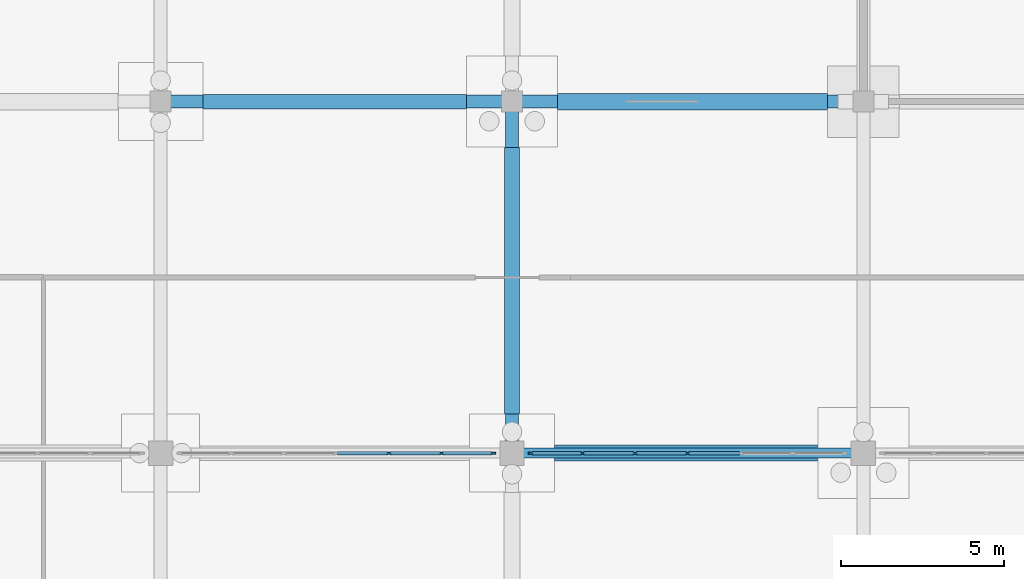
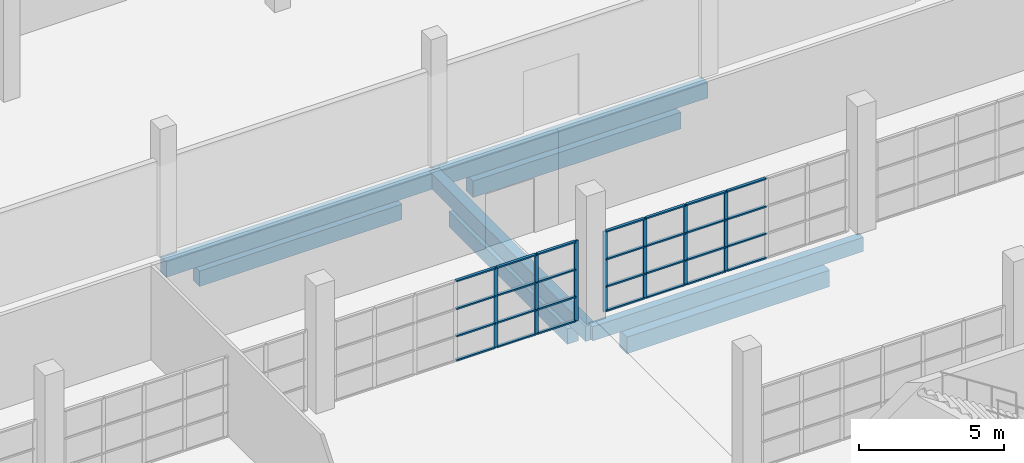
# One storey, part 75 of 138: 35 members, 8 beams, 2 elements without a shape of their own.
"""IFC4 building model written with IfcOpenShell, lengths in metres."""

from ifc_helpers import new_model, si_unit, direction, frame, origin, origin_2d, place, context, subcontext, project, spatial, rectangle, extrude, material, material_profile, profile_set, type_object, element, aggregate, save


model = new_model("IFC4")

# Units and contexts
model_context = context("Model", 3, precision=1e-05, world=origin(), true_north=direction((0.0, 1.0)))
body_context = subcontext(model_context, "Body", "Model", "MODEL_VIEW")
ifc_project = project(units=[si_unit("LENGTHUNIT", "METRE"), si_unit("AREAUNIT", "SQUARE_METRE"), si_unit("VOLUMEUNIT", "CUBIC_METRE"), si_unit("PLANEANGLEUNIT", "RADIAN"), si_unit("MASSUNIT", "GRAM", prefix="KILO")], contexts=[model_context])

# Site, building, storey
site_placement = place(None, origin())
site = spatial("IfcSite", under=ifc_project, at=site_placement, CompositionType="ELEMENT")
building_placement = place(site_placement, origin())
building = spatial("IfcBuilding", under=site, at=building_placement, Name="Zwinboog Wholesale Market", CompositionType="ELEMENT")
storey_placement = place(building_placement, origin())
storey = spatial("IfcBuildingStorey", under=building, at=storey_placement, Name="L00", CompositionType="ELEMENT", Elevation=0.0)

# Beams
ifc_material_1 = material(Name="Precast concrete C45/55", Category="concrete")
ifc_material_profile_1 = material_profile(ifc_material_1, rectangle(XDim=0.39990234375, YDim=0.64990234375, at=origin_2d()), Name="PC 400x650")
ifc_profile_set_1 = profile_set([ifc_material_profile_1], Name="Precast concrete C45/55")
beam_type_1 = type_object("IfcBeamType", Name="BT-05", PredefinedType="BEAM", material=ifc_profile_set_1)
for number, where, z_axis, x_axis, name in (
    (1, (140.39990234375, 108.0, -0.68994140625), (1.0, 0.0, 0.0), (0.0, 1.0, 0.0), "BG-05 (BMG-L00-1404-1080-0164)"),
    (2, (151.199951171875, 108.0, -0.68994140625), (1.0, 0.0, 0.0), (0.0, 1.0, 0.0), "BG-05 (BMG-L00-1512-1080-0165)"),
    (3, (151.199951171875, 97.199951171875, -0.68994140625), (0.0, 1.0, 0.0), (-1.0, 0.0, 0.0), "BG-05 (BMG-L00-1512-0972-0362)"),
):
    element("IfcBeam", number, at=place(storey_placement, frame(where, z_axis=z_axis, x_axis=x_axis)), inside=storey, type_object=beam_type_1, Name=name, PredefinedType="BEAM", context=body_context, shape_type="SweptSolid", body=[
        extrude(rectangle(XDim=0.39990234375, YDim=0.64990234375, at=origin_2d()), origin(), (0.0, 0.0, 1.0), 10.800048828125),
    ])
ifc_material_profile_2 = material_profile(ifc_material_1, rectangle(XDim=0.300048828125, YDim=0.60009765625, at=origin_2d()), Name="PC 300x600")
ifc_profile_set_2 = profile_set([ifc_material_profile_2], Name="Precast concrete C45/55")
beam_type_2 = type_object("IfcBeamType", Name="BT-09", PredefinedType="SPANDREL", material=ifc_profile_set_2)
beam_1_placement = place(storey_placement, frame((151.199951171875, 97.199951171875, -0.6650390625), z_axis=(1.0, 0.0, 0.0), x_axis=(0.0, 1.0, 0.0)))
element("IfcBeam", 4, at=beam_1_placement, inside=storey, type_object=beam_type_2, Name="SP-02 (BMG-L00-1512-0972-0145)", PredefinedType="SPANDREL", context=body_context, shape_type="SweptSolid", body=[
    extrude(rectangle(XDim=0.300048828125, YDim=0.60009765625, at=origin_2d()), origin(), (0.0, 0.0, 1.0), 10.800048828125),
])
ifc_material_2 = material(Name="Concrete C35/45", Category="concrete")
ifc_material_profile_3 = material_profile(ifc_material_2, rectangle(XDim=0.5, YDim=0.699951171875, at=origin_2d()), Name="RC 500x700")
ifc_profile_set_3 = profile_set([ifc_material_profile_3], Name="Concrete C35/45")
beam_type_3 = type_object("IfcBeamType", Name="BT-12", PredefinedType="USERDEFINED", material=ifc_profile_set_3)
beam_2_placement = place(storey_placement, frame((152.5048828125, 97.199951171875, -1.550048828125), z_axis=(1.0, 0.0, 0.0), x_axis=(0.0, 1.0, 0.0)))
element("IfcBeam", 5, at=beam_2_placement, inside=storey, type_object=beam_type_3, Name="GB-01 (BM-GB-0081)", ObjectType="GROUND_BEAM", PredefinedType="USERDEFINED", context=body_context, shape_type="SweptSolid", body=[
    extrude(rectangle(XDim=0.5, YDim=0.699951171875, at=origin_2d()), origin(), (0.0, 0.0, 1.0), 8.090087890625),
])
beam_3_placement = place(storey_placement, frame((152.60498046875, 108.0, -1.550048828125), z_axis=(1.0, 0.0, 0.0), x_axis=(0.0, 1.0, 0.0)))
element("IfcBeam", 6, at=beam_3_placement, inside=storey, type_object=beam_type_3, Name="GB-01 (BM-GB-0101)", ObjectType="GROUND_BEAM", PredefinedType="USERDEFINED", context=body_context, shape_type="SweptSolid", body=[
    extrude(rectangle(XDim=0.5, YDim=0.699951171875, at=origin_2d()), origin(), (0.0, 0.0, 1.0), 8.2900390625),
])
ifc_material_profile_4 = material_profile(ifc_material_2, rectangle(XDim=0.449951171875, YDim=0.64990234375, at=origin_2d()), Name="RC 450x650")
ifc_profile_set_4 = profile_set([ifc_material_profile_4], Name="Concrete C35/45")
beam_type_4 = type_object("IfcBeamType", Name="BT-13", PredefinedType="USERDEFINED", material=ifc_profile_set_4)
beam_4_placement = place(storey_placement, frame((141.705078125, 108.0, -1.52490234375), z_axis=(1.0, 0.0, 0.0), x_axis=(0.0, 1.0, 0.0)))
element("IfcBeam", 7, at=beam_4_placement, inside=storey, type_object=beam_type_4, Name="GB-02 (BM-GB-0100)", ObjectType="GROUND_BEAM", PredefinedType="USERDEFINED", context=body_context, shape_type="SweptSolid", body=[
    extrude(rectangle(XDim=0.449951171875, YDim=0.64990234375, at=origin_2d()), origin(), (0.0, 0.0, 1.0), 8.08984375),
])
beam_5_placement = place(storey_placement, frame((151.199951171875, 98.405029296875, -1.52490234375), z_axis=(0.0, 1.0, 0.0), x_axis=(-1.0, 0.0, 0.0)))
element("IfcBeam", 8, at=beam_5_placement, inside=storey, type_object=beam_type_4, Name="GB-02 (BM-GB-0193)", ObjectType="GROUND_BEAM", PredefinedType="USERDEFINED", context=body_context, shape_type="SweptSolid", body=[
    extrude(rectangle(XDim=0.449951171875, YDim=0.64990234375, at=origin_2d()), origin(), (0.0, 0.0, 1.0), 8.18994140625),
])

# Curtain wall, members
ifc_material_3 = material(Name="Aluminium thermally broken curtain wall", Category="aluminium")
curtain_wall_type = type_object("IfcCurtainWallType", Name="CWT-INT-STALL", PredefinedType="USERDEFINED", material=ifc_material_3)
curtain_wall_1_placement = place(storey_placement, origin())
curtain_wall_1 = element("IfcCurtainWall", 9, at=curtain_wall_1_placement, inside=storey, type_object=curtain_wall_type, Name="CW-07 (CW-STL-206)", ObjectType="STOREFRONT_GLAZING", PredefinedType="USERDEFINED")
ifc_material_4 = material(Name="Aluminium EN AW-6060", Category="aluminium")
ifc_material_profile_5 = material_profile(ifc_material_4, rectangle(XDim=0.06005859375, YDim=0.14990234375, at=origin_2d()), Name="AL 60x150")
ifc_profile_set_5 = profile_set([ifc_material_profile_5], Name="Aluminium EN AW-6060")
member_type_1 = type_object("IfcMemberType", Name="CWM-INT-60x120", PredefinedType="MULLION", material=ifc_profile_set_5)
member_1_placement = place(storey_placement, frame((147.416748046875, 97.199951171875, 0.0), z_axis=(0.0, 0.0, 1.0), x_axis=(0.0, 1.0, 0.0)))
member_1 = element("IfcMember", 10, at=member_1_placement, type_object=member_type_1, Name="CW-07 mullion 5", PredefinedType="MULLION", context=body_context, shape_type="SweptSolid", body=[
    extrude(rectangle(XDim=0.06005859375, YDim=0.14990234375, at=origin_2d()), origin(), (0.0, 0.0, 1.0), 3.39990234375),
])
member_2_placement = place(storey_placement, frame((149.033447265625, 97.199951171875, 0.0), z_axis=(0.0, 0.0, 1.0), x_axis=(0.0, 1.0, 0.0)))
member_2 = element("IfcMember", 11, at=member_2_placement, type_object=member_type_1, Name="CW-07 mullion 6", PredefinedType="MULLION", context=body_context, shape_type="SweptSolid", body=[
    extrude(rectangle(XDim=0.06005859375, YDim=0.14990234375, at=origin_2d()), origin(), (0.0, 0.0, 1.0), 3.39990234375),
])
member_3_placement = place(storey_placement, frame((150.6201171875, 97.199951171875, 0.0), z_axis=(0.0, 0.0, 1.0), x_axis=(0.0, 1.0, 0.0)))
member_3 = element("IfcMember", 12, at=member_3_placement, type_object=member_type_1, Name="CW-07 mullion 7", PredefinedType="MULLION", context=body_context, shape_type="SweptSolid", body=[
    extrude(rectangle(XDim=0.06005859375, YDim=0.14990234375, at=origin_2d()), origin(), (0.0, 0.0, 1.0), 3.39990234375),
])

curtain_wall_2_placement = place(storey_placement, origin())
curtain_wall_2 = element("IfcCurtainWall", 13, at=curtain_wall_2_placement, inside=storey, type_object=curtain_wall_type, Name="CW-07 (CW-STL-207)", ObjectType="STOREFRONT_GLAZING", PredefinedType="USERDEFINED")
member_4_placement = place(storey_placement, frame((151.780029296875, 97.199951171875, 0.0), z_axis=(0.0, 0.0, 1.0), x_axis=(0.0, 1.0, 0.0)))
member_4 = element("IfcMember", 14, at=member_4_placement, type_object=member_type_1, Name="CW-07 mullion 1", PredefinedType="MULLION", context=body_context, shape_type="SweptSolid", body=[
    extrude(rectangle(XDim=0.06005859375, YDim=0.14990234375, at=origin_2d()), origin(), (0.0, 0.0, 1.0), 3.39990234375),
])
member_5_placement = place(storey_placement, frame((153.36669921875, 97.199951171875, 0.0), z_axis=(0.0, 0.0, 1.0), x_axis=(0.0, 1.0, 0.0)))
member_5 = element("IfcMember", 15, at=member_5_placement, type_object=member_type_1, Name="CW-07 mullion 2", PredefinedType="MULLION", context=body_context, shape_type="SweptSolid", body=[
    extrude(rectangle(XDim=0.06005859375, YDim=0.14990234375, at=origin_2d()), origin(), (0.0, 0.0, 1.0), 3.39990234375),
])
member_6_placement = place(storey_placement, frame((154.9833984375, 97.199951171875, 0.0), z_axis=(0.0, 0.0, 1.0), x_axis=(0.0, 1.0, 0.0)))
member_6 = element("IfcMember", 16, at=member_6_placement, type_object=member_type_1, Name="CW-07 mullion 3", PredefinedType="MULLION", context=body_context, shape_type="SweptSolid", body=[
    extrude(rectangle(XDim=0.06005859375, YDim=0.14990234375, at=origin_2d()), origin(), (0.0, 0.0, 1.0), 3.39990234375),
])
member_7_placement = place(storey_placement, frame((156.60009765625, 97.199951171875, 0.0), z_axis=(0.0, 0.0, 1.0), x_axis=(0.0, 1.0, 0.0)))
member_7 = element("IfcMember", 17, at=member_7_placement, type_object=member_type_1, Name="CW-07 mullion 4", PredefinedType="MULLION", context=body_context, shape_type="SweptSolid", body=[
    extrude(rectangle(XDim=0.06005859375, YDim=0.14990234375, at=origin_2d()), origin(), (0.0, 0.0, 1.0), 3.39990234375),
])

# Member
ifc_material_profile_6 = material_profile(ifc_material_4, rectangle(XDim=0.110107421875, YDim=0.06005859375, at=origin_2d()), Name="AL 60x110")
ifc_profile_set_6 = profile_set([ifc_material_profile_6], Name="Aluminium EN AW-6060")
member_type_2 = type_object("IfcMemberType", Name="CWT-INT-60x100", PredefinedType="USERDEFINED", material=ifc_profile_set_6)
member_8_placement = place(storey_placement, frame((145.830078125, 97.199951171875, 0.030029296875), z_axis=(1.0, 0.0, 0.0), x_axis=(0.0, 1.0, 0.0)))
member_8 = element("IfcMember", 18, at=member_8_placement, type_object=member_type_2, Name="CW-07 transom 4.1", ObjectType="TRANSOM", PredefinedType="USERDEFINED", context=body_context, shape_type="SweptSolid", body=[
    extrude(rectangle(XDim=0.110107421875, YDim=0.06005859375, at=origin_2d()), origin(), (0.0, 0.0, 1.0), 1.556640625),
])

member_9_placement = place(storey_placement, frame((145.830078125, 97.199951171875, 1.050048828125), z_axis=(1.0, 0.0, 0.0), x_axis=(0.0, 1.0, 0.0)))
member_9 = element("IfcMember", 19, at=member_9_placement, type_object=member_type_2, Name="CW-07 transom 4.2", ObjectType="TRANSOM", PredefinedType="USERDEFINED", context=body_context, shape_type="SweptSolid", body=[
    extrude(rectangle(XDim=0.110107421875, YDim=0.06005859375, at=origin_2d()), origin(), (0.0, 0.0, 1.0), 1.556640625),
])

member_10_placement = place(storey_placement, frame((145.830078125, 97.199951171875, 2.199951171875), z_axis=(1.0, 0.0, 0.0), x_axis=(0.0, 1.0, 0.0)))
member_10 = element("IfcMember", 20, at=member_10_placement, type_object=member_type_2, Name="CW-07 transom 4.3", ObjectType="TRANSOM", PredefinedType="USERDEFINED", context=body_context, shape_type="SweptSolid", body=[
    extrude(rectangle(XDim=0.110107421875, YDim=0.06005859375, at=origin_2d()), origin(), (0.0, 0.0, 1.0), 1.556640625),
])

member_11_placement = place(storey_placement, frame((145.830078125, 97.199951171875, 3.3701171875), z_axis=(1.0, 0.0, 0.0), x_axis=(0.0, 1.0, 0.0)))
member_11 = element("IfcMember", 21, at=member_11_placement, type_object=member_type_2, Name="CW-07 transom 4.4", ObjectType="TRANSOM", PredefinedType="USERDEFINED", context=body_context, shape_type="SweptSolid", body=[
    extrude(rectangle(XDim=0.110107421875, YDim=0.06005859375, at=origin_2d()), origin(), (0.0, 0.0, 1.0), 1.556640625),
])

member_12_placement = place(storey_placement, frame((147.44677734375, 97.199951171875, 0.030029296875), z_axis=(1.0, 0.0, 0.0), x_axis=(0.0, 1.0, 0.0)))
member_12 = element("IfcMember", 22, at=member_12_placement, type_object=member_type_2, Name="CW-07 transom 5.1", ObjectType="TRANSOM", PredefinedType="USERDEFINED", context=body_context, shape_type="SweptSolid", body=[
    extrude(rectangle(XDim=0.110107421875, YDim=0.06005859375, at=origin_2d()), origin(), (0.0, 0.0, 1.0), 1.556640625),
])

member_13_placement = place(storey_placement, frame((147.44677734375, 97.199951171875, 1.050048828125), z_axis=(1.0, 0.0, 0.0), x_axis=(0.0, 1.0, 0.0)))
member_13 = element("IfcMember", 23, at=member_13_placement, type_object=member_type_2, Name="CW-07 transom 5.2", ObjectType="TRANSOM", PredefinedType="USERDEFINED", context=body_context, shape_type="SweptSolid", body=[
    extrude(rectangle(XDim=0.110107421875, YDim=0.06005859375, at=origin_2d()), origin(), (0.0, 0.0, 1.0), 1.556640625),
])

member_14_placement = place(storey_placement, frame((147.44677734375, 97.199951171875, 2.199951171875), z_axis=(1.0, 0.0, 0.0), x_axis=(0.0, 1.0, 0.0)))
member_14 = element("IfcMember", 24, at=member_14_placement, type_object=member_type_2, Name="CW-07 transom 5.3", ObjectType="TRANSOM", PredefinedType="USERDEFINED", context=body_context, shape_type="SweptSolid", body=[
    extrude(rectangle(XDim=0.110107421875, YDim=0.06005859375, at=origin_2d()), origin(), (0.0, 0.0, 1.0), 1.556640625),
])

member_15_placement = place(storey_placement, frame((147.44677734375, 97.199951171875, 3.3701171875), z_axis=(1.0, 0.0, 0.0), x_axis=(0.0, 1.0, 0.0)))
member_15 = element("IfcMember", 25, at=member_15_placement, type_object=member_type_2, Name="CW-07 transom 5.4", ObjectType="TRANSOM", PredefinedType="USERDEFINED", context=body_context, shape_type="SweptSolid", body=[
    extrude(rectangle(XDim=0.110107421875, YDim=0.06005859375, at=origin_2d()), origin(), (0.0, 0.0, 1.0), 1.556640625),
])

member_16_placement = place(storey_placement, frame((149.063232421875, 97.199951171875, 0.030029296875), z_axis=(1.0, 0.0, 0.0), x_axis=(0.0, 1.0, 0.0)))
member_16 = element("IfcMember", 26, at=member_16_placement, type_object=member_type_2, Name="CW-07 transom 6.1", ObjectType="TRANSOM", PredefinedType="USERDEFINED", context=body_context, shape_type="SweptSolid", body=[
    extrude(rectangle(XDim=0.110107421875, YDim=0.06005859375, at=origin_2d()), origin(), (0.0, 0.0, 1.0), 1.52685546875),
])

member_17_placement = place(storey_placement, frame((149.063232421875, 97.199951171875, 1.050048828125), z_axis=(1.0, 0.0, 0.0), x_axis=(0.0, 1.0, 0.0)))
member_17 = element("IfcMember", 27, at=member_17_placement, type_object=member_type_2, Name="CW-07 transom 6.2", ObjectType="TRANSOM", PredefinedType="USERDEFINED", context=body_context, shape_type="SweptSolid", body=[
    extrude(rectangle(XDim=0.110107421875, YDim=0.06005859375, at=origin_2d()), origin(), (0.0, 0.0, 1.0), 1.52685546875),
])

member_18_placement = place(storey_placement, frame((149.063232421875, 97.199951171875, 2.199951171875), z_axis=(1.0, 0.0, 0.0), x_axis=(0.0, 1.0, 0.0)))
member_18 = element("IfcMember", 28, at=member_18_placement, type_object=member_type_2, Name="CW-07 transom 6.3", ObjectType="TRANSOM", PredefinedType="USERDEFINED", context=body_context, shape_type="SweptSolid", body=[
    extrude(rectangle(XDim=0.110107421875, YDim=0.06005859375, at=origin_2d()), origin(), (0.0, 0.0, 1.0), 1.52685546875),
])

member_19_placement = place(storey_placement, frame((149.063232421875, 97.199951171875, 3.3701171875), z_axis=(1.0, 0.0, 0.0), x_axis=(0.0, 1.0, 0.0)))
member_19 = element("IfcMember", 29, at=member_19_placement, type_object=member_type_2, Name="CW-07 transom 6.4", ObjectType="TRANSOM", PredefinedType="USERDEFINED", context=body_context, shape_type="SweptSolid", body=[
    extrude(rectangle(XDim=0.110107421875, YDim=0.06005859375, at=origin_2d()), origin(), (0.0, 0.0, 1.0), 1.52685546875),
])

aggregate(curtain_wall_1, [member_1, member_2, member_3, member_8, member_9, member_10, member_11, member_12, member_13, member_14, member_15, member_16, member_17, member_18, member_19])

member_20_placement = place(storey_placement, frame((151.81005859375, 97.199951171875, 0.030029296875), z_axis=(1.0, 0.0, 0.0), x_axis=(0.0, 1.0, 0.0)))
member_20 = element("IfcMember", 30, at=member_20_placement, type_object=member_type_2, Name="CW-07 transom 1.1", ObjectType="TRANSOM", PredefinedType="USERDEFINED", context=body_context, shape_type="SweptSolid", body=[
    extrude(rectangle(XDim=0.110107421875, YDim=0.06005859375, at=origin_2d()), origin(), (0.0, 0.0, 1.0), 1.526611328125),
])

member_21_placement = place(storey_placement, frame((151.81005859375, 97.199951171875, 1.050048828125), z_axis=(1.0, 0.0, 0.0), x_axis=(0.0, 1.0, 0.0)))
member_21 = element("IfcMember", 31, at=member_21_placement, type_object=member_type_2, Name="CW-07 transom 1.2", ObjectType="TRANSOM", PredefinedType="USERDEFINED", context=body_context, shape_type="SweptSolid", body=[
    extrude(rectangle(XDim=0.110107421875, YDim=0.06005859375, at=origin_2d()), origin(), (0.0, 0.0, 1.0), 1.526611328125),
])

member_22_placement = place(storey_placement, frame((151.81005859375, 97.199951171875, 2.199951171875), z_axis=(1.0, 0.0, 0.0), x_axis=(0.0, 1.0, 0.0)))
member_22 = element("IfcMember", 32, at=member_22_placement, type_object=member_type_2, Name="CW-07 transom 1.3", ObjectType="TRANSOM", PredefinedType="USERDEFINED", context=body_context, shape_type="SweptSolid", body=[
    extrude(rectangle(XDim=0.110107421875, YDim=0.06005859375, at=origin_2d()), origin(), (0.0, 0.0, 1.0), 1.526611328125),
])

member_23_placement = place(storey_placement, frame((151.81005859375, 97.199951171875, 3.3701171875), z_axis=(1.0, 0.0, 0.0), x_axis=(0.0, 1.0, 0.0)))
member_23 = element("IfcMember", 33, at=member_23_placement, type_object=member_type_2, Name="CW-07 transom 1.4", ObjectType="TRANSOM", PredefinedType="USERDEFINED", context=body_context, shape_type="SweptSolid", body=[
    extrude(rectangle(XDim=0.110107421875, YDim=0.06005859375, at=origin_2d()), origin(), (0.0, 0.0, 1.0), 1.526611328125),
])

member_24_placement = place(storey_placement, frame((153.396728515625, 97.199951171875, 0.030029296875), z_axis=(1.0, 0.0, 0.0), x_axis=(0.0, 1.0, 0.0)))
member_24 = element("IfcMember", 34, at=member_24_placement, type_object=member_type_2, Name="CW-07 transom 2.1", ObjectType="TRANSOM", PredefinedType="USERDEFINED", context=body_context, shape_type="SweptSolid", body=[
    extrude(rectangle(XDim=0.110107421875, YDim=0.06005859375, at=origin_2d()), origin(), (0.0, 0.0, 1.0), 1.556640625),
])

member_25_placement = place(storey_placement, frame((153.396728515625, 97.199951171875, 1.050048828125), z_axis=(1.0, 0.0, 0.0), x_axis=(0.0, 1.0, 0.0)))
member_25 = element("IfcMember", 35, at=member_25_placement, type_object=member_type_2, Name="CW-07 transom 2.2", ObjectType="TRANSOM", PredefinedType="USERDEFINED", context=body_context, shape_type="SweptSolid", body=[
    extrude(rectangle(XDim=0.110107421875, YDim=0.06005859375, at=origin_2d()), origin(), (0.0, 0.0, 1.0), 1.556640625),
])

member_26_placement = place(storey_placement, frame((153.396728515625, 97.199951171875, 2.199951171875), z_axis=(1.0, 0.0, 0.0), x_axis=(0.0, 1.0, 0.0)))
member_26 = element("IfcMember", 36, at=member_26_placement, type_object=member_type_2, Name="CW-07 transom 2.3", ObjectType="TRANSOM", PredefinedType="USERDEFINED", context=body_context, shape_type="SweptSolid", body=[
    extrude(rectangle(XDim=0.110107421875, YDim=0.06005859375, at=origin_2d()), origin(), (0.0, 0.0, 1.0), 1.556640625),
])

member_27_placement = place(storey_placement, frame((153.396728515625, 97.199951171875, 3.3701171875), z_axis=(1.0, 0.0, 0.0), x_axis=(0.0, 1.0, 0.0)))
member_27 = element("IfcMember", 37, at=member_27_placement, type_object=member_type_2, Name="CW-07 transom 2.4", ObjectType="TRANSOM", PredefinedType="USERDEFINED", context=body_context, shape_type="SweptSolid", body=[
    extrude(rectangle(XDim=0.110107421875, YDim=0.06005859375, at=origin_2d()), origin(), (0.0, 0.0, 1.0), 1.556640625),
])

member_28_placement = place(storey_placement, frame((155.013427734375, 97.199951171875, 0.030029296875), z_axis=(1.0, 0.0, 0.0), x_axis=(0.0, 1.0, 0.0)))
member_28 = element("IfcMember", 38, at=member_28_placement, type_object=member_type_2, Name="CW-07 transom 3.1", ObjectType="TRANSOM", PredefinedType="USERDEFINED", context=body_context, shape_type="SweptSolid", body=[
    extrude(rectangle(XDim=0.110107421875, YDim=0.06005859375, at=origin_2d()), origin(), (0.0, 0.0, 1.0), 1.556640625),
])

member_29_placement = place(storey_placement, frame((155.013427734375, 97.199951171875, 1.050048828125), z_axis=(1.0, 0.0, 0.0), x_axis=(0.0, 1.0, 0.0)))
member_29 = element("IfcMember", 39, at=member_29_placement, type_object=member_type_2, Name="CW-07 transom 3.2", ObjectType="TRANSOM", PredefinedType="USERDEFINED", context=body_context, shape_type="SweptSolid", body=[
    extrude(rectangle(XDim=0.110107421875, YDim=0.06005859375, at=origin_2d()), origin(), (0.0, 0.0, 1.0), 1.556640625),
])

member_30_placement = place(storey_placement, frame((155.013427734375, 97.199951171875, 2.199951171875), z_axis=(1.0, 0.0, 0.0), x_axis=(0.0, 1.0, 0.0)))
member_30 = element("IfcMember", 40, at=member_30_placement, type_object=member_type_2, Name="CW-07 transom 3.3", ObjectType="TRANSOM", PredefinedType="USERDEFINED", context=body_context, shape_type="SweptSolid", body=[
    extrude(rectangle(XDim=0.110107421875, YDim=0.06005859375, at=origin_2d()), origin(), (0.0, 0.0, 1.0), 1.556640625),
])

member_31_placement = place(storey_placement, frame((155.013427734375, 97.199951171875, 3.3701171875), z_axis=(1.0, 0.0, 0.0), x_axis=(0.0, 1.0, 0.0)))
member_31 = element("IfcMember", 41, at=member_31_placement, type_object=member_type_2, Name="CW-07 transom 3.4", ObjectType="TRANSOM", PredefinedType="USERDEFINED", context=body_context, shape_type="SweptSolid", body=[
    extrude(rectangle(XDim=0.110107421875, YDim=0.06005859375, at=origin_2d()), origin(), (0.0, 0.0, 1.0), 1.556640625),
])

member_32_placement = place(storey_placement, frame((156.6298828125, 97.199951171875, 0.030029296875), z_axis=(1.0, 0.0, 0.0), x_axis=(0.0, 1.0, 0.0)))
member_32 = element("IfcMember", 42, at=member_32_placement, type_object=member_type_2, Name="CW-07 transom 4.1", ObjectType="TRANSOM", PredefinedType="USERDEFINED", context=body_context, shape_type="SweptSolid", body=[
    extrude(rectangle(XDim=0.110107421875, YDim=0.06005859375, at=origin_2d()), origin(), (0.0, 0.0, 1.0), 1.556884765625),
])

member_33_placement = place(storey_placement, frame((156.6298828125, 97.199951171875, 1.050048828125), z_axis=(1.0, 0.0, 0.0), x_axis=(0.0, 1.0, 0.0)))
member_33 = element("IfcMember", 43, at=member_33_placement, type_object=member_type_2, Name="CW-07 transom 4.2", ObjectType="TRANSOM", PredefinedType="USERDEFINED", context=body_context, shape_type="SweptSolid", body=[
    extrude(rectangle(XDim=0.110107421875, YDim=0.06005859375, at=origin_2d()), origin(), (0.0, 0.0, 1.0), 1.556884765625),
])

member_34_placement = place(storey_placement, frame((156.6298828125, 97.199951171875, 2.199951171875), z_axis=(1.0, 0.0, 0.0), x_axis=(0.0, 1.0, 0.0)))
member_34 = element("IfcMember", 44, at=member_34_placement, type_object=member_type_2, Name="CW-07 transom 4.3", ObjectType="TRANSOM", PredefinedType="USERDEFINED", context=body_context, shape_type="SweptSolid", body=[
    extrude(rectangle(XDim=0.110107421875, YDim=0.06005859375, at=origin_2d()), origin(), (0.0, 0.0, 1.0), 1.556884765625),
])

member_35_placement = place(storey_placement, frame((156.6298828125, 97.199951171875, 3.3701171875), z_axis=(1.0, 0.0, 0.0), x_axis=(0.0, 1.0, 0.0)))
member_35 = element("IfcMember", 45, at=member_35_placement, type_object=member_type_2, Name="CW-07 transom 4.4", ObjectType="TRANSOM", PredefinedType="USERDEFINED", context=body_context, shape_type="SweptSolid", body=[
    extrude(rectangle(XDim=0.110107421875, YDim=0.06005859375, at=origin_2d()), origin(), (0.0, 0.0, 1.0), 1.556884765625),
])

aggregate(curtain_wall_2, [member_4, member_5, member_6, member_7, member_20, member_21, member_22, member_23, member_24, member_25, member_26, member_27, member_28, member_29, member_30, member_31, member_32, member_33, member_34, member_35])

save(model, "model.ifc")
